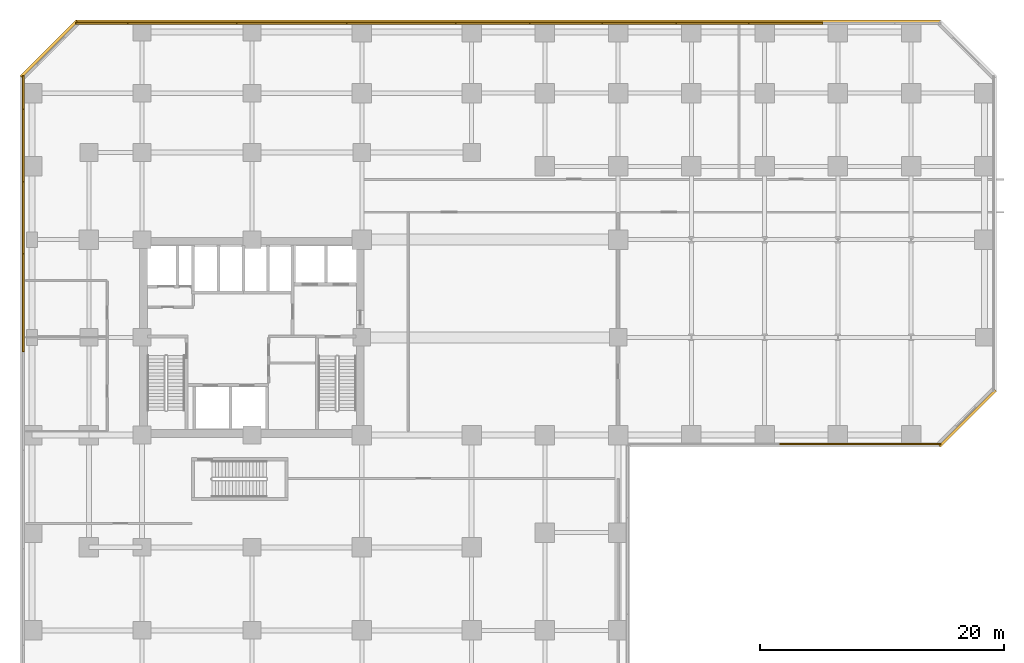
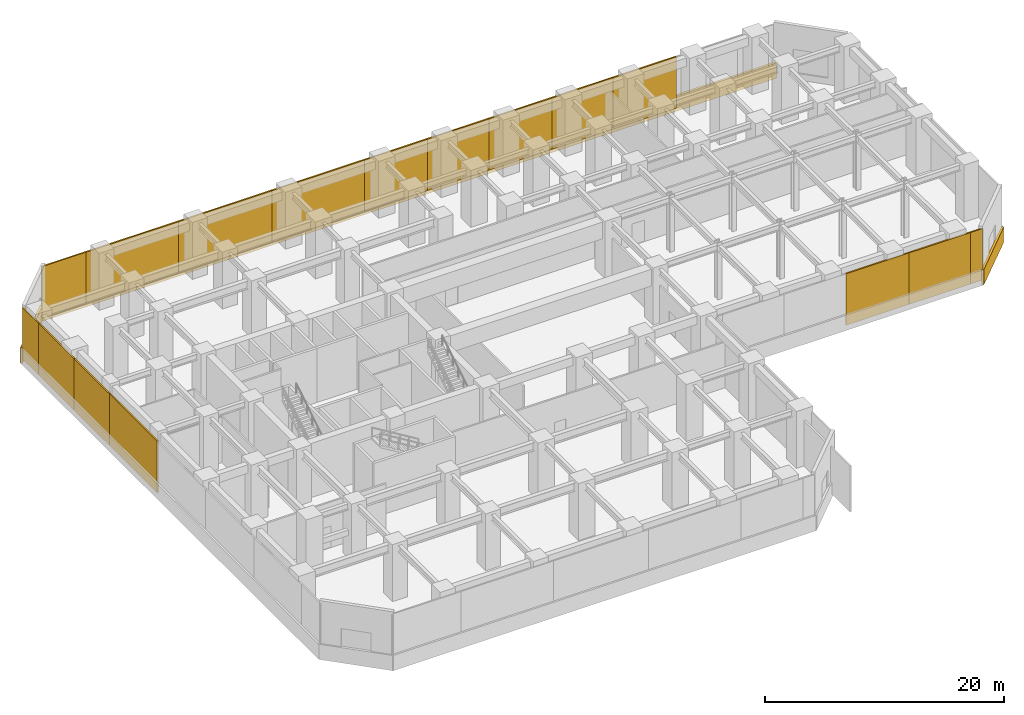
# One storey, part 11 of 12: 19 coverings.
"""IFC4 building model written with IfcOpenShell, lengths in metres."""

from ifc_helpers import new_model, si_unit, direction, frame, origin, origin_2d, place, context, subcontext, project, spatial, rectangle, extrude, source, transform, mapped, material, layer, layer_set, type_object, element, save


model = new_model("IFC4")

# Units and contexts
model_context = context("Model", 3, precision=1e-05, world=origin(), true_north=direction((0.0, 1.0)))
body_context = subcontext(model_context, "Body", "Model", "MODEL_VIEW")
ifc_project = project(units=[si_unit("LENGTHUNIT", "METRE"), si_unit("AREAUNIT", "SQUARE_METRE"), si_unit("VOLUMEUNIT", "CUBIC_METRE"), si_unit("PLANEANGLEUNIT", "RADIAN"), si_unit("MASSUNIT", "GRAM", prefix="KILO")], contexts=[model_context])

# Site, building, storey
site_placement = place(None, origin())
site = spatial("IfcSite", under=ifc_project, at=site_placement, CompositionType="ELEMENT")
building_placement = place(site_placement, origin())
building = spatial("IfcBuilding", under=site, at=building_placement, Name="Torre Montelarca", CompositionType="ELEMENT")
storey_placement = place(building_placement, frame((0.0, 0.0, 22.199951171875)))
storey = spatial("IfcBuildingStorey", under=building, at=storey_placement, Name="L05", CompositionType="ELEMENT", Elevation=22.199951171875)

# Coverings
ifc_material = material(Name="Bush-hammered warm white precast concrete C45/55", Category="concrete")
ifc_layer = layer(ifc_material, 0.139892578125, Name="Bush-hammered warm white precast concrete C45/55", Category="concrete")
ifc_layer_set = layer_set([ifc_layer], Name="Bush-hammered warm white precast concrete C45/55")
covering_type = type_object("IfcCoveringType", Name="COV-TRAY-CLAD", PredefinedType="CLADDING", material=ifc_layer_set)
shared_shape_1 = source(origin(), body_context, "Body", "SweptSolid", [
    extrude(rectangle(XDim=6.48388671875, YDim=0.219970703125, at=origin_2d()), origin(), (0.0, 0.0, 1.0), 1.56005859375),
])
for number, where, z_axis, x_axis, name in (
    (1, (76.62890625, 25.37109375, -0.39990234375), (0.0, 0.0, 1.0), (0.707106781187, 0.707106781187, 0.0), "L05 Architectural White Spandrel Tray Band PODBOT-05"),
    (2, (1.37109375, 55.62890625, -0.39990234375), (0.0, 0.0, 1.0), (-0.707106781187, -0.707106781187, 0.0), "L05 Architectural White Spandrel Tray Band PODBOT-09"),
):
    element("IfcCovering", number, at=place(storey_placement, frame(where, z_axis=z_axis, x_axis=x_axis)), inside=storey, type_object=covering_type, Name=name, PredefinedType="CLADDING", context=body_context, shape_type="MappedRepresentation", body=[
        mapped(shared_shape_1, transform((0.0, 0.0, 0.0), scale=1.0)),
    ])
shared_shape_2 = source(origin(), body_context, "Body", "SweptSolid", [
    extrude(rectangle(XDim=70.919921875, YDim=0.219970703125, at=origin_2d()), origin(), (0.0, 0.0, 1.0), 1.56005859375),
])
covering_1_placement = place(storey_placement, frame((39.0, 57.8701171875, -0.39990234375), z_axis=(0.0, 0.0, 1.0), x_axis=(-1.0, 0.0, 0.0)))
element("IfcCovering", 3, at=covering_1_placement, inside=storey, type_object=covering_type, Name="L05 Architectural White Spandrel Tray Band PODBOT-08", PredefinedType="CLADDING", context=body_context, shape_type="MappedRepresentation", body=[
    mapped(shared_shape_2, transform((0.0, 0.0, 0.0), scale=1.0)),
])
shared_shape_3 = source(origin(), body_context, "Body", "SweptSolid", [
    extrude(rectangle(XDim=9.080078125, YDim=0.139892578125, at=origin_2d()), origin(), (0.0, 0.0, 1.0), 5.25),
])
for number, where, z_axis, x_axis, name in (
    (4, (30.219970703125, 57.739990234375, 0.0), (0.0, 0.0, 1.0), (-1.0, 0.0, 0.0), "L05 Architectural Column Pier Cladding E08-9"),
    (5, (12.294921875, 57.739990234375, 0.0), (0.0, 0.0, 1.0), (-1.0, 0.0, 0.0), "L05 Architectural Column Pier Cladding E08-11"),
):
    element("IfcCovering", number, at=place(storey_placement, frame(where, z_axis=z_axis, x_axis=x_axis)), inside=storey, type_object=covering_type, Name=name, PredefinedType="CLADDING", context=body_context, shape_type="MappedRepresentation", body=[
        mapped(shared_shape_3, transform((0.0, 0.0, 0.0), scale=1.0)),
    ])
shared_shape_4 = source(origin(), body_context, "Body", "SweptSolid", [
    extrude(rectangle(XDim=6.080078125, YDim=0.139892578125, at=origin_2d()), origin(), (0.0, 0.0, 1.0), 5.25),
])
for number, where, z_axis, x_axis, name in (
    (6, (64.280029296875, 23.260009765625, 0.0), (0.0, 0.0, 1.0), (1.0, 0.0, 0.0), "L05 Architectural Column Pier Cladding E04-4"),
    (7, (70.280029296875, 23.260009765625, 0.0), (0.0, 0.0, 1.0), (1.0, 0.0, 0.0), "L05 Architectural Column Pier Cladding E04-5"),
    (8, (61.719970703125, 57.739990234375, 0.0), (0.0, 0.0, 1.0), (-1.0, 0.0, 0.0), "L05 Architectural Column Pier Cladding E08-4"),
    (9, (55.719970703125, 57.739990234375, 0.0), (0.0, 0.0, 1.0), (-1.0, 0.0, 0.0), "L05 Architectural Column Pier Cladding E08-5"),
    (10, (49.719970703125, 57.739990234375, 0.0), (0.0, 0.0, 1.0), (-1.0, 0.0, 0.0), "L05 Architectural Column Pier Cladding E08-6"),
    (11, (43.719970703125, 57.739990234375, 0.0), (0.0, 0.0, 1.0), (-1.0, 0.0, 0.0), "L05 Architectural Column Pier Cladding E08-7"),
    (12, (37.719970703125, 57.739990234375, 0.0), (0.0, 0.0, 1.0), (-1.0, 0.0, 0.0), "L05 Architectural Column Pier Cladding E08-8"),
    (13, (-0.739990234375, 47.719970703125, 0.0), (0.0, 0.0, 1.0), (0.0, -1.0, 0.0), "L05 Architectural Column Pier Cladding E10-2"),
):
    element("IfcCovering", number, at=place(storey_placement, frame(where, z_axis=z_axis, x_axis=x_axis)), inside=storey, type_object=covering_type, Name=name, PredefinedType="CLADDING", context=body_context, shape_type="MappedRepresentation", body=[
        mapped(shared_shape_4, transform((0.0, 0.0, 0.0), scale=1.0)),
    ])
shared_shape_5 = source(origin(), body_context, "Body", "SweptSolid", [
    extrude(rectangle(XDim=1.199951171875, YDim=0.139892578125, at=origin_2d()), origin(), (0.0, 0.0, 1.0), 5.25),
])
covering_2_placement = place(storey_placement, frame((73.840087890625, 23.260009765625, 0.0), z_axis=(0.0, 0.0, 1.0), x_axis=(1.0, 0.0, 0.0)))
element("IfcCovering", 14, at=covering_2_placement, inside=storey, type_object=covering_type, Name="L05 Architectural Column Pier Cladding E04-6", PredefinedType="CLADDING", context=body_context, shape_type="MappedRepresentation", body=[
    mapped(shared_shape_5, transform((0.0, 0.0, 0.0), scale=1.0)),
])
shared_shape_6 = source(origin(), body_context, "Body", "SweptSolid", [
    extrude(rectangle(XDim=8.080078125, YDim=0.139892578125, at=origin_2d()), origin(), (0.0, 0.0, 1.0), 5.25),
])
covering_3_placement = place(storey_placement, frame((-0.739990234375, 34.8701171875, 0.0), z_axis=(0.0, 0.0, 1.0), x_axis=(0.0, -1.0, 0.0)))
element("IfcCovering", 15, at=covering_3_placement, inside=storey, type_object=covering_type, Name="L05 Architectural Column Pier Cladding E10-4", PredefinedType="CLADDING", context=body_context, shape_type="MappedRepresentation", body=[
    mapped(shared_shape_6, transform((0.0, 0.0, 0.0), scale=1.0)),
])
shared_shape_7 = source(origin(), body_context, "Body", "SweptSolid", [
    extrude(rectangle(XDim=9.0048828125, YDim=0.139892578125, at=origin_2d()), origin(), (0.0, 0.0, 1.0), 5.25),
])
covering_4_placement = place(storey_placement, frame((21.257568359375, 57.739990234375, 0.0), z_axis=(0.0, 0.0, 1.0), x_axis=(-1.0, 0.0, 0.0)))
element("IfcCovering", 16, at=covering_4_placement, inside=storey, type_object=covering_type, Name="L05 Architectural Column Pier Cladding E08-10", PredefinedType="CLADDING", context=body_context, shape_type="MappedRepresentation", body=[
    mapped(shared_shape_7, transform((0.0, 0.0, 0.0), scale=1.0)),
])
shared_shape_8 = source(origin(), body_context, "Body", "SweptSolid", [
    extrude(rectangle(XDim=4.27490234375, YDim=0.139892578125, at=origin_2d()), origin(), (0.0, 0.0, 1.0), 5.25),
])
covering_5_placement = place(storey_placement, frame((5.697509765625, 57.739990234375, 0.0), z_axis=(0.0, 0.0, 1.0), x_axis=(-1.0, 0.0, 0.0)))
element("IfcCovering", 17, at=covering_5_placement, inside=storey, type_object=covering_type, Name="L05 Architectural Column Pier Cladding E08-12", PredefinedType="CLADDING", context=body_context, shape_type="MappedRepresentation", body=[
    mapped(shared_shape_8, transform((0.0, 0.0, 0.0), scale=1.0)),
])
shared_shape_9 = source(origin(), body_context, "Body", "SweptSolid", [
    extrude(rectangle(XDim=2.760009765625, YDim=0.139892578125, at=origin_2d()), origin(), (0.0, 0.0, 1.0), 5.25),
])
covering_6_placement = place(storey_placement, frame((-0.739990234375, 52.06005859375, 0.0), z_axis=(0.0, 0.0, 1.0), x_axis=(0.0, -1.0, 0.0)))
element("IfcCovering", 18, at=covering_6_placement, inside=storey, type_object=covering_type, Name="L05 Architectural Column Pier Cladding E10-1", PredefinedType="CLADDING", context=body_context, shape_type="MappedRepresentation", body=[
    mapped(shared_shape_9, transform((0.0, 0.0, 0.0), scale=1.0)),
])
shared_shape_10 = source(origin(), body_context, "Body", "SweptSolid", [
    extrude(rectangle(XDim=5.929931640625, YDim=0.139892578125, at=origin_2d()), origin(), (0.0, 0.0, 1.0), 5.25),
])
covering_7_placement = place(storey_placement, frame((-0.739990234375, 41.794921875, 0.0), z_axis=(0.0, 0.0, 1.0), x_axis=(0.0, -1.0, 0.0)))
element("IfcCovering", 19, at=covering_7_placement, inside=storey, type_object=covering_type, Name="L05 Architectural Column Pier Cladding E10-3", PredefinedType="CLADDING", context=body_context, shape_type="MappedRepresentation", body=[
    mapped(shared_shape_10, transform((0.0, 0.0, 0.0), scale=1.0)),
])

save(model, "model.ifc")
